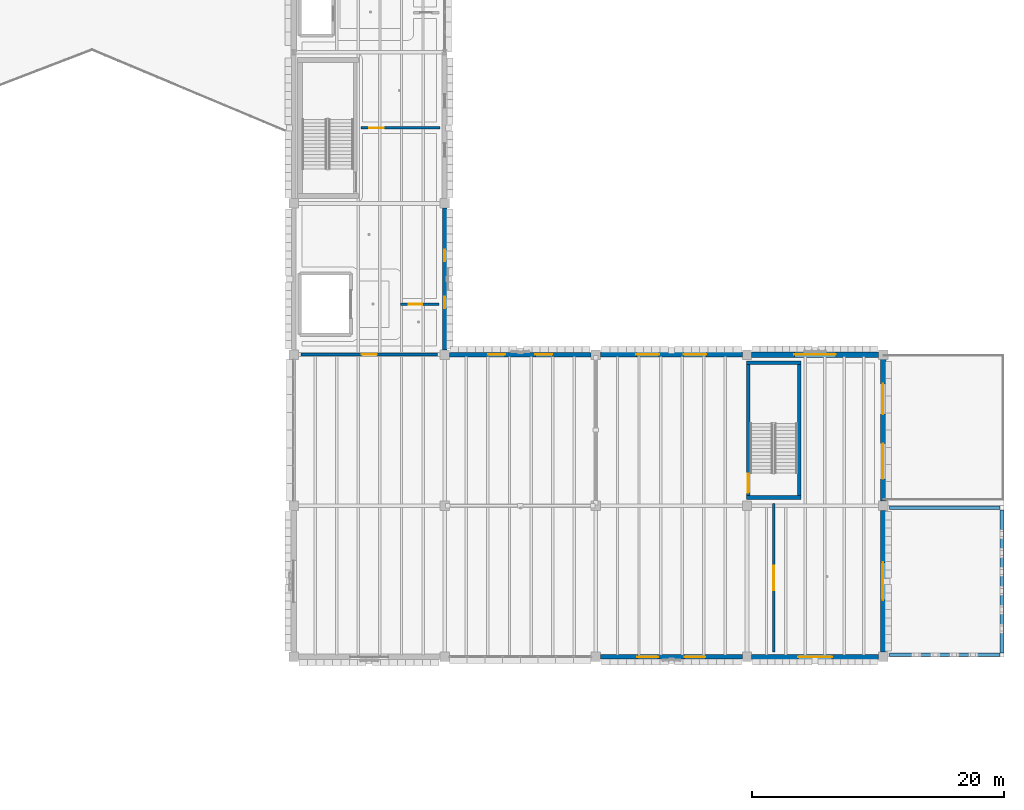
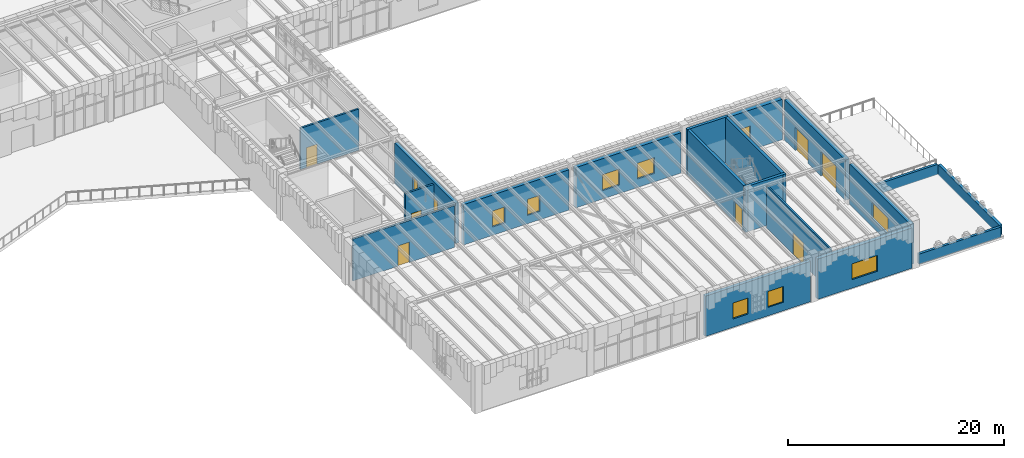
# One storey, part 56 of 103: 19 walls, 11 windows, 7 doors, 18 openings.
"""IFC4 building model written with IfcOpenShell, lengths in metres."""

from ifc_helpers import new_model, si_unit, direction, frame, frame_2d, origin, place, context, subcontext, project, spatial, rectangle, extrude, material, layer, layer_set, type_object, element, fill, save


model = new_model("IFC4")

# Units and contexts
model_context = context("Model", 3, precision=1e-05, world=origin(), true_north=direction((0.0, 1.0)))
body_context = subcontext(model_context, "Body", "Model", "MODEL_VIEW")
ifc_project = project(units=[si_unit("LENGTHUNIT", "METRE"), si_unit("AREAUNIT", "SQUARE_METRE"), si_unit("VOLUMEUNIT", "CUBIC_METRE"), si_unit("PLANEANGLEUNIT", "RADIAN"), si_unit("MASSUNIT", "GRAM", prefix="KILO")], contexts=[model_context])

# Site, building, storey
site_placement = place(None, origin())
site = spatial("IfcSite", under=ifc_project, at=site_placement, CompositionType="ELEMENT")
building_placement = place(site_placement, origin())
building = spatial("IfcBuilding", under=site, at=building_placement, Name="Zlatogorsky Bluff Art Gallery", CompositionType="ELEMENT")
storey_placement = place(building_placement, origin())
storey = spatial("IfcBuildingStorey", under=building, at=storey_placement, Name="L00", CompositionType="ELEMENT", Elevation=0.0)

# Wall, openings, windows
ifc_material_1 = material(Name="Precast concrete C40/50", Category="concrete")
ifc_layer_1 = layer(ifc_material_1, 0.360107421875)
ifc_layer_set_1 = layer_set([ifc_layer_1], Name="Exterior Wall EW-01 360mm")
wall_type_1 = type_object("IfcWallType", Name="Exterior Wall EW-01 360mm", PredefinedType="SOLIDWALL", material=ifc_layer_set_1)
wall_1_placement = place(storey_placement, frame((132.0, 50.77001953125, 0.0), z_axis=(0.0, 0.0, 1.0), x_axis=(0.0, 1.0, 0.0)))
wall_1 = element("IfcWall", 1, at=wall_1_placement, inside=storey, type_object=wall_type_1, Name="Exterior wall EW-01 L00 E 10.5", PredefinedType="SOLIDWALL", context=body_context, shape_type="SweptSolid", body=[
    extrude(rectangle(XDim=11.260009765625, YDim=0.360107421875, at=frame_2d((5.6298828125, 0.0))), origin(), (0.0, 0.0, 1.0), 4.56005859375),
])
opening_1_placement = place(wall_1_placement, frame((3.302978515625, 0.0, 0.949951171875)))
opening_1 = element("IfcOpeningElement", 2, at=opening_1_placement, cuts=wall_1, Name="Opening WN-13", PredefinedType="OPENING", context=body_context, shape_type="SweptSolid", body=[
    extrude(rectangle(XDim=0.89990234375, YDim=1.800048828125, at=frame_2d((0.449951171875, 0.89990234375))), frame((0.0, 0.18994140625, 0.0), z_axis=(0.0, -1.0, 0.0), x_axis=(1.0, 0.0, 0.0)), (0.0, 0.0, 1.0), 0.380126953125),
])
opening_2_placement = place(wall_1_placement, frame((7.056884765625, 0.0, 0.949951171875)))
opening_2 = element("IfcOpeningElement", 3, at=opening_2_placement, cuts=wall_1, Name="Opening WN-13", PredefinedType="OPENING", context=body_context, shape_type="SweptSolid", body=[
    extrude(rectangle(XDim=0.89990234375, YDim=1.800048828125, at=frame_2d((0.449951171875, 0.89990234375))), frame((0.0, 0.18994140625, 0.0), z_axis=(0.0, -1.0, 0.0), x_axis=(1.0, 0.0, 0.0)), (0.0, 0.0, 1.0), 0.380126953125),
])
ifc_material_2 = material(Name="Bronze-Anodised Aluminium Triple Glazing", Category="aluminium")
window_type_1 = type_object("IfcWindowType", Name="Pointed-Reveal Window WN-13 900x1800", PartitioningType="SINGLE_PANEL", PredefinedType="WINDOW", material=ifc_material_2)
window_1_placement = place(opening_1_placement, origin())
window_1 = element("IfcWindow", 4, at=window_1_placement, inside=storey, type_object=window_type_1, Name="Window WN-13 L00.E.10.5.1", OverallHeight=1.800048828125, OverallWidth=0.89990234375, PartitioningType="SINGLE_PANEL", PredefinedType="WINDOW", context=body_context, shape_type="SweptSolid", body=[
    extrude(rectangle(XDim=0.89990234375, YDim=1.800048828125, at=frame_2d((0.449951171875, 0.89990234375))), frame((0.0, 0.030029296875, 0.0), z_axis=(0.0, -1.0, 0.0), x_axis=(1.0, 0.0, 0.0)), (0.0, 0.0, 1.0), 0.06005859375),
])
fill(opening_1, window_1)
window_2_placement = place(opening_2_placement, origin())
window_2 = element("IfcWindow", 5, at=window_2_placement, inside=storey, type_object=window_type_1, Name="Window WN-13 L00.E.10.5.2", OverallHeight=1.800048828125, OverallWidth=0.89990234375, PartitioningType="SINGLE_PANEL", PredefinedType="WINDOW", context=body_context, shape_type="SweptSolid", body=[
    extrude(rectangle(XDim=0.89990234375, YDim=1.800048828125, at=frame_2d((0.449951171875, 0.89990234375))), frame((0.0, 0.030029296875, 0.0), z_axis=(0.0, -1.0, 0.0), x_axis=(1.0, 0.0, 0.0)), (0.0, 0.0, 1.0), 0.06005859375),
])
fill(opening_2, window_2)

wall_2_placement = place(storey_placement, frame((143.6298828125, 50.39990234375, 0.0), z_axis=(0.0, 0.0, 1.0), x_axis=(-1.0, 0.0, 0.0)))
wall_2 = element("IfcWall", 6, at=wall_2_placement, inside=storey, type_object=wall_type_1, Name="Exterior wall EW-01 L00 N 11.4", PredefinedType="SOLIDWALL", context=body_context, shape_type="SweptSolid", body=[
    extrude(rectangle(XDim=11.259765625, YDim=0.360107421875, at=frame_2d((5.6298828125, 0.0))), origin(), (0.0, 0.0, 1.0), 4.56005859375),
])
opening_3_placement = place(wall_2_placement, frame((3.077880859375, 0.0, 0.949951171875)))
opening_3 = element("IfcOpeningElement", 7, at=opening_3_placement, cuts=wall_2, Name="Opening WN-16", PredefinedType="OPENING", context=body_context, shape_type="SweptSolid", body=[
    extrude(rectangle(XDim=1.35009765625, YDim=1.800048828125, at=frame_2d((0.675048828125, 0.89990234375))), frame((0.0, 0.18994140625, 0.0), z_axis=(0.0, -1.0, 0.0), x_axis=(1.0, 0.0, 0.0)), (0.0, 0.0, 1.0), 0.380126953125),
])
opening_4_placement = place(wall_2_placement, frame((6.83203125, 0.0, 0.949951171875)))
opening_4 = element("IfcOpeningElement", 8, at=opening_4_placement, cuts=wall_2, Name="Opening WN-16", PredefinedType="OPENING", context=body_context, shape_type="SweptSolid", body=[
    extrude(rectangle(XDim=1.35009765625, YDim=1.800048828125, at=frame_2d((0.675048828125, 0.89990234375))), frame((0.0, 0.18994140625, 0.0), z_axis=(0.0, -1.0, 0.0), x_axis=(1.0, 0.0, 0.0)), (0.0, 0.0, 1.0), 0.380126953125),
])
window_type_2 = type_object("IfcWindowType", Name="Pointed-Reveal Window WN-16 1350x1800", PartitioningType="SINGLE_PANEL", PredefinedType="WINDOW", material=ifc_material_2)
window_3_placement = place(opening_3_placement, origin())
window_3 = element("IfcWindow", 9, at=window_3_placement, inside=storey, type_object=window_type_2, Name="Window WN-16 L00.N.11.4.1", OverallHeight=1.800048828125, OverallWidth=1.35009765625, PartitioningType="SINGLE_PANEL", PredefinedType="WINDOW", context=body_context, shape_type="SweptSolid", body=[
    extrude(rectangle(XDim=1.35009765625, YDim=1.800048828125, at=frame_2d((0.675048828125, 0.89990234375))), frame((0.0, 0.030029296875, 0.0), z_axis=(0.0, -1.0, 0.0), x_axis=(1.0, 0.0, 0.0)), (0.0, 0.0, 1.0), 0.06005859375),
])
fill(opening_3, window_3)
window_4_placement = place(opening_4_placement, origin())
window_4 = element("IfcWindow", 10, at=window_4_placement, inside=storey, type_object=window_type_2, Name="Window WN-16 L00.N.11.4.2", OverallHeight=1.800048828125, OverallWidth=1.35009765625, PartitioningType="SINGLE_PANEL", PredefinedType="WINDOW", context=body_context, shape_type="SweptSolid", body=[
    extrude(rectangle(XDim=1.35009765625, YDim=1.800048828125, at=frame_2d((0.675048828125, 0.89990234375))), frame((0.0, 0.030029296875, 0.0), z_axis=(0.0, -1.0, 0.0), x_axis=(1.0, 0.0, 0.0)), (0.0, 0.0, 1.0), 0.06005859375),
])
fill(opening_4, window_4)

wall_3_placement = place(storey_placement, frame((144.3701171875, 26.39990234375, 0.0), z_axis=(0.0, 0.0, 1.0), x_axis=(1.0, 0.0, 0.0)))
wall_3 = element("IfcWall", 11, at=wall_3_placement, inside=storey, type_object=wall_type_1, Name="Exterior wall EW-01 L00 S 12.3", PredefinedType="SOLIDWALL", context=body_context, shape_type="SweptSolid", body=[
    extrude(rectangle(XDim=11.259765625, YDim=0.360107421875, at=frame_2d((5.6298828125, 0.0))), origin(), (0.0, 0.0, 1.0), 4.56005859375),
])
opening_5_placement = place(wall_3_placement, frame((2.927978515625, 0.0, 0.949951171875)))
opening_5 = element("IfcOpeningElement", 12, at=opening_5_placement, cuts=wall_3, Name="Opening WN-18", PredefinedType="OPENING", context=body_context, shape_type="SweptSolid", body=[
    extrude(rectangle(XDim=1.64990234375, YDim=1.800048828125, at=frame_2d((0.824951171875, 0.89990234375))), frame((0.0, 0.18994140625, 0.0), z_axis=(0.0, -1.0, 0.0), x_axis=(1.0, 0.0, 0.0)), (0.0, 0.0, 1.0), 0.380126953125),
])
opening_6_placement = place(wall_3_placement, frame((6.681884765625, 0.0, 0.949951171875)))
opening_6 = element("IfcOpeningElement", 13, at=opening_6_placement, cuts=wall_3, Name="Opening WN-18", PredefinedType="OPENING", context=body_context, shape_type="SweptSolid", body=[
    extrude(rectangle(XDim=1.64990234375, YDim=1.800048828125, at=frame_2d((0.824951171875, 0.89990234375))), frame((0.0, 0.18994140625, 0.0), z_axis=(0.0, -1.0, 0.0), x_axis=(1.0, 0.0, 0.0)), (0.0, 0.0, 1.0), 0.380126953125),
])
window_type_3 = type_object("IfcWindowType", Name="Pointed-Reveal Window WN-18 1650x1800", PartitioningType="SINGLE_PANEL", PredefinedType="WINDOW", material=ifc_material_2)
window_5_placement = place(opening_5_placement, origin())
window_5 = element("IfcWindow", 14, at=window_5_placement, inside=storey, type_object=window_type_3, Name="Window WN-18 L00.S.12.3.1", OverallHeight=1.800048828125, OverallWidth=1.64990234375, PartitioningType="SINGLE_PANEL", PredefinedType="WINDOW", context=body_context, shape_type="SweptSolid", body=[
    extrude(rectangle(XDim=1.64990234375, YDim=1.800048828125, at=frame_2d((0.824951171875, 0.89990234375))), frame((0.0, 0.030029296875, 0.0), z_axis=(0.0, -1.0, 0.0), x_axis=(1.0, 0.0, 0.0)), (0.0, 0.0, 1.0), 0.06005859375),
])
fill(opening_5, window_5)
window_6_placement = place(opening_6_placement, origin())
window_6 = element("IfcWindow", 15, at=window_6_placement, inside=storey, type_object=window_type_3, Name="Window WN-18 L00.S.12.3.2", OverallHeight=1.800048828125, OverallWidth=1.64990234375, PartitioningType="SINGLE_PANEL", PredefinedType="WINDOW", context=body_context, shape_type="SweptSolid", body=[
    extrude(rectangle(XDim=1.64990234375, YDim=1.800048828125, at=frame_2d((0.824951171875, 0.89990234375))), frame((0.0, 0.030029296875, 0.0), z_axis=(0.0, -1.0, 0.0), x_axis=(1.0, 0.0, 0.0)), (0.0, 0.0, 1.0), 0.06005859375),
])
fill(opening_6, window_6)

ifc_layer_2 = layer(ifc_material_1, 0.39990234375)
ifc_layer_set_2 = layer_set([ifc_layer_2], Name="Exterior Wall EW-02 400mm")
wall_type_2 = type_object("IfcWallType", Name="Exterior Wall EW-02 400mm", PredefinedType="SOLIDWALL", material=ifc_layer_set_2)
wall_4_placement = place(storey_placement, frame((155.6298828125, 50.39990234375, 0.0), z_axis=(0.0, 0.0, 1.0), x_axis=(-1.0, 0.0, 0.0)))
wall_4 = element("IfcWall", 16, at=wall_4_placement, inside=storey, type_object=wall_type_2, Name="Exterior wall EW-02 L00 N 12.4", PredefinedType="SOLIDWALL", context=body_context, shape_type="SweptSolid", body=[
    extrude(rectangle(XDim=11.259765625, YDim=0.39990234375, at=frame_2d((5.6298828125, 0.0))), origin(), (0.0, 0.0, 1.0), 4.56005859375),
])
opening_7_placement = place(wall_4_placement, frame((2.85302734375, 0.0, 0.949951171875)))
opening_7 = element("IfcOpeningElement", 17, at=opening_7_placement, cuts=wall_4, Name="Opening WN-19", PredefinedType="OPENING", context=body_context, shape_type="SweptSolid", body=[
    extrude(rectangle(XDim=1.800048828125, YDim=1.800048828125, at=frame_2d((0.89990234375, 0.89990234375))), frame((0.0, 0.2099609375, 0.0), z_axis=(0.0, -1.0, 0.0), x_axis=(1.0, 0.0, 0.0)), (0.0, 0.0, 1.0), 0.419921875),
])
opening_8_placement = place(wall_4_placement, frame((6.60693359375, 0.0, 0.949951171875)))
opening_8 = element("IfcOpeningElement", 18, at=opening_8_placement, cuts=wall_4, Name="Opening WN-19", PredefinedType="OPENING", context=body_context, shape_type="SweptSolid", body=[
    extrude(rectangle(XDim=1.800048828125, YDim=1.800048828125, at=frame_2d((0.89990234375, 0.89990234375))), frame((0.0, 0.2099609375, 0.0), z_axis=(0.0, -1.0, 0.0), x_axis=(1.0, 0.0, 0.0)), (0.0, 0.0, 1.0), 0.419921875),
])
window_type_4 = type_object("IfcWindowType", Name="Pointed-Reveal Window WN-19 1800x1800", PartitioningType="SINGLE_PANEL", PredefinedType="WINDOW", material=ifc_material_2)
window_7_placement = place(opening_7_placement, origin())
window_7 = element("IfcWindow", 19, at=window_7_placement, inside=storey, type_object=window_type_4, Name="Window WN-19 L00.N.12.4.1", OverallHeight=1.800048828125, OverallWidth=1.800048828125, PartitioningType="SINGLE_PANEL", PredefinedType="WINDOW", context=body_context, shape_type="SweptSolid", body=[
    extrude(rectangle(XDim=1.800048828125, YDim=1.800048828125, at=frame_2d((0.89990234375, 0.89990234375))), frame((0.0, 0.030029296875, 0.0), z_axis=(0.0, -1.0, 0.0), x_axis=(1.0, 0.0, 0.0)), (0.0, 0.0, 1.0), 0.06005859375),
])
fill(opening_7, window_7)
window_8_placement = place(opening_8_placement, origin())
window_8 = element("IfcWindow", 20, at=window_8_placement, inside=storey, type_object=window_type_4, Name="Window WN-19 L00.N.12.4.2", OverallHeight=1.800048828125, OverallWidth=1.800048828125, PartitioningType="SINGLE_PANEL", PredefinedType="WINDOW", context=body_context, shape_type="SweptSolid", body=[
    extrude(rectangle(XDim=1.800048828125, YDim=1.800048828125, at=frame_2d((0.89990234375, 0.89990234375))), frame((0.0, 0.030029296875, 0.0), z_axis=(0.0, -1.0, 0.0), x_axis=(1.0, 0.0, 0.0)), (0.0, 0.0, 1.0), 0.06005859375),
])
fill(opening_8, window_8)

# Wall, opening, window
wall_5_placement = place(storey_placement, frame((156.3701171875, 26.39990234375, 0.0), z_axis=(0.0, 0.0, 1.0), x_axis=(1.0, 0.0, 0.0)))
wall_5 = element("IfcWall", 21, at=wall_5_placement, inside=storey, type_object=wall_type_2, Name="Exterior wall EW-02 L00 S 13.3", PredefinedType="SOLIDWALL", context=body_context, shape_type="SweptSolid", body=[
    extrude(rectangle(XDim=10.059814453125, YDim=0.39990234375, at=frame_2d((5.02978515625, 0.0))), origin(), (0.0, 0.0, 1.0), 4.56005859375),
])
opening_9_placement = place(wall_5_placement, frame((3.679931640625, 0.0, 0.949951171875)))
opening_9 = element("IfcOpeningElement", 22, at=opening_9_placement, cuts=wall_5, Name="Opening WN-22", PredefinedType="OPENING", context=body_context, shape_type="SweptSolid", body=[
    extrude(rectangle(XDim=2.699951171875, YDim=1.800048828125, at=frame_2d((1.35009765625, 0.89990234375))), frame((0.0, 0.2099609375, 0.0), z_axis=(0.0, -1.0, 0.0), x_axis=(1.0, 0.0, 0.0)), (0.0, 0.0, 1.0), 0.419921875),
])
window_type_5 = type_object("IfcWindowType", Name="Pointed-Reveal Window WN-22 2700x1800", PartitioningType="SINGLE_PANEL", PredefinedType="WINDOW", material=ifc_material_2)
window_9_placement = place(opening_9_placement, origin())
window_9 = element("IfcWindow", 23, at=window_9_placement, inside=storey, type_object=window_type_5, Name="Window WN-22 L00.S.13.3.1", OverallHeight=1.800048828125, OverallWidth=2.699951171875, PartitioningType="SINGLE_PANEL", PredefinedType="WINDOW", context=body_context, shape_type="SweptSolid", body=[
    extrude(rectangle(XDim=2.699951171875, YDim=1.800048828125, at=frame_2d((1.35009765625, 0.89990234375))), frame((0.0, 0.030029296875, 0.0), z_axis=(0.0, -1.0, 0.0), x_axis=(1.0, 0.0, 0.0)), (0.0, 0.0, 1.0), 0.06005859375),
])
fill(opening_9, window_9)

wall_6_placement = place(storey_placement, frame((166.800048828125, 26.77001953125, 0.0), z_axis=(0.0, 0.0, 1.0), x_axis=(0.0, 1.0, 0.0)))
wall_6 = element("IfcWall", 24, at=wall_6_placement, inside=storey, type_object=wall_type_2, Name="Exterior wall EW-02 L00 E 13.3", PredefinedType="SOLIDWALL", context=body_context, shape_type="SweptSolid", body=[
    extrude(rectangle(XDim=11.260009765625, YDim=0.39990234375, at=frame_2d((5.6298828125, 0.0))), origin(), (0.0, 0.0, 1.0), 4.56005859375),
])
opening_10_placement = place(wall_6_placement, frame((4.1298828125, 0.0, 0.949951171875)))
opening_10 = element("IfcOpeningElement", 25, at=opening_10_placement, cuts=wall_6, Name="Opening WN-23", PredefinedType="OPENING", context=body_context, shape_type="SweptSolid", body=[
    extrude(rectangle(XDim=3.0, YDim=1.800048828125, at=frame_2d((1.5, 0.89990234375))), frame((0.0, 0.2099609375, 0.0), z_axis=(0.0, -1.0, 0.0), x_axis=(1.0, 0.0, 0.0)), (0.0, 0.0, 1.0), 0.419921875),
])
window_type_6 = type_object("IfcWindowType", Name="Pointed-Reveal Window WN-23 3000x1800", PartitioningType="SINGLE_PANEL", PredefinedType="WINDOW", material=ifc_material_2)
window_10_placement = place(opening_10_placement, origin())
window_10 = element("IfcWindow", 26, at=window_10_placement, inside=storey, type_object=window_type_6, Name="Window WN-23 L00.E.13.3.1", OverallHeight=1.800048828125, OverallWidth=3.0, PartitioningType="SINGLE_PANEL", PredefinedType="WINDOW", context=body_context, shape_type="SweptSolid", body=[
    extrude(rectangle(XDim=3.0, YDim=1.800048828125, at=frame_2d((1.5, 0.89990234375))), frame((0.0, 0.030029296875, 0.0), z_axis=(0.0, -1.0, 0.0), x_axis=(1.0, 0.0, 0.0)), (0.0, 0.0, 1.0), 0.06005859375),
])
fill(opening_10, window_10)

ifc_layer_3 = layer(ifc_material_1, 0.43994140625)
ifc_layer_set_3 = layer_set([ifc_layer_3], Name="Exterior Wall EW-03 440mm")
wall_type_3 = type_object("IfcWallType", Name="Exterior Wall EW-03 440mm", PredefinedType="SOLIDWALL", material=ifc_layer_set_3)
wall_7_placement = place(storey_placement, frame((166.429931640625, 50.39990234375, 0.0), z_axis=(0.0, 0.0, 1.0), x_axis=(-1.0, 0.0, 0.0)))
wall_7 = element("IfcWall", 27, at=wall_7_placement, inside=storey, type_object=wall_type_3, Name="Exterior wall EW-03 L00 N 13.4", PredefinedType="SOLIDWALL", context=body_context, shape_type="SweptSolid", body=[
    extrude(rectangle(XDim=10.059814453125, YDim=0.43994140625, at=frame_2d((5.02978515625, 0.0))), origin(), (0.0, 0.0, 1.0), 4.56005859375),
])
opening_11_placement = place(wall_7_placement, frame((3.3798828125, 0.0, 0.949951171875)))
opening_11 = element("IfcOpeningElement", 28, at=opening_11_placement, cuts=wall_7, Name="Opening WN-24", PredefinedType="OPENING", context=body_context, shape_type="SweptSolid", body=[
    extrude(rectangle(XDim=3.300048828125, YDim=1.800048828125, at=frame_2d((1.64990234375, 0.89990234375))), frame((0.0, 0.22998046875, 0.0), z_axis=(0.0, -1.0, 0.0), x_axis=(1.0, 0.0, 0.0)), (0.0, 0.0, 1.0), 0.4599609375),
])
window_type_7 = type_object("IfcWindowType", Name="Pointed-Reveal Window WN-24 3300x1800", PartitioningType="SINGLE_PANEL", PredefinedType="WINDOW", material=ifc_material_2)
window_11_placement = place(opening_11_placement, origin())
window_11 = element("IfcWindow", 29, at=window_11_placement, inside=storey, type_object=window_type_7, Name="Window WN-24 L00.N.13.4.1", OverallHeight=1.800048828125, OverallWidth=3.300048828125, PartitioningType="SINGLE_PANEL", PredefinedType="WINDOW", context=body_context, shape_type="SweptSolid", body=[
    extrude(rectangle(XDim=3.300048828125, YDim=1.800048828125, at=frame_2d((1.64990234375, 0.89990234375))), frame((0.0, 0.030029296875, 0.0), z_axis=(0.0, -1.0, 0.0), x_axis=(1.0, 0.0, 0.0)), (0.0, 0.0, 1.0), 0.06005859375),
])
fill(opening_11, window_11)

# Wall, openings, doors
wall_8_placement = place(storey_placement, frame((166.800048828125, 38.77001953125, 0.0), z_axis=(0.0, 0.0, 1.0), x_axis=(0.0, 1.0, 0.0)))
wall_8 = element("IfcWall", 30, at=wall_8_placement, inside=storey, type_object=wall_type_3, Name="Exterior wall EW-03 L00 E 13.4", PredefinedType="SOLIDWALL", context=body_context, shape_type="SweptSolid", body=[
    extrude(rectangle(XDim=11.260009765625, YDim=0.43994140625, at=frame_2d((5.6298828125, 0.0))), origin(), (0.0, 0.0, 1.0), 4.56005859375),
])
opening_12_placement = place(wall_8_placement, frame((1.7529296875, 0.0, 0.0)))
opening_12 = element("IfcOpeningElement", 31, at=opening_12_placement, cuts=wall_8, Name="Opening ED-T3", PredefinedType="OPENING", context=body_context, shape_type="SweptSolid", body=[
    extrude(rectangle(XDim=2.800048828125, YDim=2.800048828125, at=frame_2d((1.39990234375, 1.39990234375))), frame((0.0, 0.22998046875, 0.0), z_axis=(0.0, -1.0, 0.0), x_axis=(1.0, 0.0, 0.0)), (0.0, 0.0, 1.0), 0.4599609375),
])
opening_13_placement = place(wall_8_placement, frame((6.906982421875, 0.0, 0.0)))
opening_13 = element("IfcOpeningElement", 32, at=opening_13_placement, cuts=wall_8, Name="Opening ED-T2", PredefinedType="OPENING", context=body_context, shape_type="SweptSolid", body=[
    extrude(rectangle(XDim=2.39990234375, YDim=2.60009765625, at=frame_2d((1.199951171875, 1.300048828125))), frame((0.0, 0.22998046875, 0.0), z_axis=(0.0, -1.0, 0.0), x_axis=(1.0, 0.0, 0.0)), (0.0, 0.0, 1.0), 0.4599609375),
])
ifc_material_3 = material(Name="Bronze-Clad Thermally Broken Steel and Laminated Glass", Category="steel")
door_type_1 = type_object("IfcDoorType", Name="Exterior Door ED-T2 2400x2600", OperationType="DOUBLE_DOOR_SINGLE_SWING", PredefinedType="DOOR", material=ifc_material_3)
door_1_placement = place(opening_13_placement, frame((2.39990234375, 0.0, 0.0), z_axis=(0.0, 0.0, 1.0), x_axis=(-1.0, 0.0, 0.0)))
door_1 = element("IfcDoor", 33, at=door_1_placement, inside=storey, type_object=door_type_1, Name="Ground exit portal double door ED-T2 E.13.4.2", OperationType="DOUBLE_DOOR_SINGLE_SWING", OverallHeight=2.60009765625, OverallWidth=2.39990234375, PredefinedType="DOOR", context=body_context, shape_type="SweptSolid", body=[
    extrude(rectangle(XDim=2.39990234375, YDim=2.60009765625, at=frame_2d((1.199951171875, 1.300048828125))), frame((0.0, 0.02490234375, 0.0), z_axis=(0.0, -1.0, 0.0), x_axis=(1.0, 0.0, 0.0)), (0.0, 0.0, 1.0), 0.050048828125),
])
fill(opening_13, door_1)
door_type_2 = type_object("IfcDoorType", Name="Exterior Door ED-T3 2800x2800", OperationType="DOUBLE_DOOR_SINGLE_SWING", PredefinedType="DOOR", material=ifc_material_3)
door_2_placement = place(opening_12_placement, frame((2.800048828125, 0.0, 0.0), z_axis=(0.0, 0.0, 1.0), x_axis=(-1.0, 0.0, 0.0)))
door_2 = element("IfcDoor", 34, at=door_2_placement, inside=storey, type_object=door_type_2, Name="Ground exit portal double door ED-T3 E.13.4.1", OperationType="DOUBLE_DOOR_SINGLE_SWING", OverallHeight=2.800048828125, OverallWidth=2.800048828125, PredefinedType="DOOR", context=body_context, shape_type="SweptSolid", body=[
    extrude(rectangle(XDim=2.800048828125, YDim=2.800048828125, at=frame_2d((1.39990234375, 1.39990234375))), frame((0.0, 0.02490234375, 0.0), z_axis=(0.0, -1.0, 0.0), x_axis=(1.0, 0.0, 0.0)), (0.0, 0.0, 1.0), 0.050048828125),
])
fill(opening_12, door_2)

# Walls
ifc_layer_4 = layer(ifc_material_1, 0.260009765625)
ifc_layer_set_4 = layer_set([ifc_layer_4], Name="Exterior Wall PR-W1 260mm")
wall_type_4 = type_object("IfcWallType", Name="Exterior Wall PR-W1 260mm", PredefinedType="PARAPET", material=ifc_layer_set_4)
for number, where, z_axis, x_axis, name in (
    (35, (176.080078125, 26.56005859375, 0.0), (0.0, 0.0, 1.0), (-1.0, 0.0, 0.0), "Sandstone roof parapet ROOF-FLAT-L00-01.1"),
    (36, (167.320068359375, 38.239990234375, 0.0), (0.0, 0.0, 1.0), (1.0, 0.0, 0.0), "Sandstone roof parapet ROOF-FLAT-L00-01.3"),
):
    element("IfcWall", number, at=place(storey_placement, frame(where, z_axis=z_axis, x_axis=x_axis)), inside=storey, type_object=wall_type_4, Name=name, PredefinedType="PARAPET", context=body_context, shape_type="SweptSolid", body=[
        extrude(rectangle(XDim=8.760009765625, YDim=0.260009765625, at=frame_2d((4.3798828125, 0.0))), origin(), (0.0, 0.0, 1.0), 1.14990234375),
    ])
ifc_layer_5 = layer(ifc_material_1, 0.300048828125)
ifc_layer_set_5 = layer_set([ifc_layer_5], Name="Exterior Wall PR-W2 300mm")
wall_type_5 = type_object("IfcWallType", Name="Exterior Wall PR-W2 300mm", PredefinedType="PARAPET", material=ifc_layer_set_5)
wall_9_placement = place(storey_placement, frame((176.239990234375, 38.080078125, 0.0), z_axis=(0.0, 0.0, 1.0), x_axis=(0.0, -1.0, 0.0)))
element("IfcWall", 37, at=wall_9_placement, inside=storey, type_object=wall_type_5, Name="Sandstone roof parapet ROOF-FLAT-L00-01.4", PredefinedType="PARAPET", context=body_context, shape_type="SweptSolid", body=[
    extrude(rectangle(XDim=11.360107421875, YDim=0.300048828125, at=frame_2d((5.68017578125, 0.0))), origin(), (0.0, 0.0, 1.0), 1.14990234375),
])

# Wall, opening, door
ifc_material_4 = material(Name="Concrete C30/37", Category="concrete")
ifc_layer_6 = layer(ifc_material_4, 0.179931640625)
ifc_layer_set_6 = layer_set([ifc_layer_6], Name="Interior Wall IW-02 180mm")
wall_type_6 = type_object("IfcWallType", Name="Interior Wall IW-02 180mm", PredefinedType="PARTITIONING", material=ifc_layer_set_6)
wall_10_placement = place(storey_placement, frame((158.125, 26.780029296875, 0.0), z_axis=(0.0, 0.0, 1.0), x_axis=(0.0, 1.0, 0.0)))
wall_10 = element("IfcWall", 38, at=wall_10_placement, inside=storey, type_object=wall_type_6, Name="Partition IW-02 between L00-L1-11 and L00-L1-12", PredefinedType="PARTITIONING", context=body_context, shape_type="SweptSolid", body=[
    extrude(rectangle(XDim=11.800048828125, YDim=0.179931640625, at=frame_2d((5.89990234375, 0.0))), origin(), (0.0, 0.0, 1.0), 4.77001953125),
])
opening_14_placement = place(wall_10_placement, frame((4.925048828125, 0.0, 0.0)))
opening_14 = element("IfcOpeningElement", 39, at=opening_14_placement, cuts=wall_10, Name="Opening ID-12", PredefinedType="OPENING", context=body_context, shape_type="SweptSolid", body=[
    extrude(rectangle(XDim=1.949951171875, YDim=2.449951171875, at=frame_2d((0.97509765625, 1.22509765625))), frame((0.0, 0.099853515625, 0.0), z_axis=(0.0, -1.0, 0.0), x_axis=(1.0, 0.0, 0.0)), (0.0, 0.0, 1.0), 0.199951171875),
])
ifc_material_5 = material(Name="Anodised Aluminium and Laminated Timber", Category="wood")
door_type_3 = type_object("IfcDoorType", Name="Interior Door ID-12 1950x2450", OperationType="DOUBLE_DOOR_SINGLE_SWING", PredefinedType="DOOR", material=ifc_material_5)
door_3_placement = place(opening_14_placement, origin())
door_3 = element("IfcDoor", 40, at=door_3_placement, inside=storey, type_object=door_type_3, Name="Door ID-12 L00-L1-11-L00-L1-12", OperationType="DOUBLE_DOOR_SINGLE_SWING", OverallHeight=2.449951171875, OverallWidth=1.949951171875, PredefinedType="DOOR", context=body_context, shape_type="SweptSolid", body=[
    extrude(rectangle(XDim=1.949951171875, YDim=2.449951171875, at=frame_2d((0.97509765625, 1.22509765625))), frame((0.0, 0.02490234375, 0.0), z_axis=(0.0, -1.0, 0.0), x_axis=(1.0, 0.0, 0.0)), (0.0, 0.0, 1.0), 0.050048828125),
])
fill(opening_14, door_3)

ifc_layer_7 = layer(ifc_material_4, 0.199951171875)
ifc_layer_set_7 = layer_set([ifc_layer_7], Name="Interior Wall IW-03 200mm")
wall_type_7 = type_object("IfcWallType", Name="Interior Wall IW-03 200mm", PredefinedType="PARTITIONING", material=ifc_layer_set_7)
wall_11_placement = place(storey_placement, frame((125.3701171875, 68.39990234375, 0.0), z_axis=(0.0, 0.0, 1.0), x_axis=(1.0, 0.0, 0.0)))
wall_11 = element("IfcWall", 41, at=wall_11_placement, inside=storey, type_object=wall_type_7, Name="Partition IW-03 between L00-C2-12 and L00-C2-13", PredefinedType="PARTITIONING", context=body_context, shape_type="SweptSolid", body=[
    extrude(rectangle(XDim=6.259765625, YDim=0.199951171875, at=frame_2d((3.1298828125, 0.0))), origin(), (0.0, 0.0, 1.0), 4.669921875),
])
opening_15_placement = place(wall_11_placement, frame((0.64990234375, 0.0, 0.0)))
opening_15 = element("IfcOpeningElement", 42, at=opening_15_placement, cuts=wall_11, Name="Opening ID-06", PredefinedType="OPENING", context=body_context, shape_type="SweptSolid", body=[
    extrude(rectangle(XDim=1.14990234375, YDim=2.25, at=frame_2d((0.574951171875, 1.125))), frame((0.0, 0.10986328125, 0.0), z_axis=(0.0, -1.0, 0.0), x_axis=(1.0, 0.0, 0.0)), (0.0, 0.0, 1.0), 0.219970703125),
])
door_type_4 = type_object("IfcDoorType", Name="Interior Door ID-06 1150x2250", OperationType="SINGLE_SWING_LEFT", PredefinedType="DOOR", material=ifc_material_5)
door_4_placement = place(opening_15_placement, origin())
door_4 = element("IfcDoor", 43, at=door_4_placement, inside=storey, type_object=door_type_4, Name="Door ID-06 L00-C2-12-L00-C2-13", OperationType="SINGLE_SWING_RIGHT", OverallHeight=2.25, OverallWidth=1.14990234375, PredefinedType="DOOR", context=body_context, shape_type="SweptSolid", body=[
    extrude(rectangle(XDim=1.14990234375, YDim=2.25, at=frame_2d((0.574951171875, 1.125))), frame((0.0, 0.02490234375, 0.0), z_axis=(0.0, -1.0, 0.0), x_axis=(1.0, 0.0, 0.0)), (0.0, 0.0, 1.0), 0.050048828125),
])
fill(opening_15, door_4)

ifc_layer_8 = layer(ifc_material_4, 0.219970703125)
ifc_layer_set_8 = layer_set([ifc_layer_8], Name="Interior Wall IW-04 220mm")
wall_type_8 = type_object("IfcWallType", Name="Interior Wall IW-04 220mm", PredefinedType="PARTITIONING", material=ifc_layer_set_8)
wall_12_placement = place(storey_placement, frame((128.510009765625, 54.39990234375, 0.0), z_axis=(0.0, 0.0, 1.0), x_axis=(1.0, 0.0, 0.0)))
wall_12 = element("IfcWall", 44, at=wall_12_placement, inside=storey, type_object=wall_type_8, Name="Partition IW-04 between L00-C2-11 and L00-C2-12", PredefinedType="PARTITIONING", context=body_context, shape_type="SweptSolid", body=[
    extrude(rectangle(XDim=3.0400390625, YDim=0.219970703125, at=frame_2d((1.52001953125, 0.0))), origin(), (0.0, 0.0, 1.0), 4.669921875),
])
opening_16_placement = place(wall_12_placement, frame((0.64990234375, 0.0, 0.0)))
opening_16 = element("IfcOpeningElement", 45, at=opening_16_placement, cuts=wall_12, Name="Opening ID-04", PredefinedType="OPENING", context=body_context, shape_type="SweptSolid", body=[
    extrude(rectangle(XDim=1.050048828125, YDim=2.199951171875, at=frame_2d((0.52490234375, 1.10009765625))), frame((0.0, 0.119873046875, 0.0), z_axis=(0.0, -1.0, 0.0), x_axis=(1.0, 0.0, 0.0)), (0.0, 0.0, 1.0), 0.239990234375),
])
door_type_5 = type_object("IfcDoorType", Name="Interior Door ID-04 1050x2200", OperationType="SINGLE_SWING_LEFT", PredefinedType="DOOR", material=ifc_material_5)
door_5_placement = place(opening_16_placement, origin())
door_5 = element("IfcDoor", 46, at=door_5_placement, inside=storey, type_object=door_type_5, Name="Door ID-04 L00-C2-11-L00-C2-12", OperationType="SINGLE_SWING_RIGHT", OverallHeight=2.199951171875, OverallWidth=1.050048828125, PredefinedType="DOOR", context=body_context, shape_type="SweptSolid", body=[
    extrude(rectangle(XDim=1.050048828125, YDim=2.199951171875, at=frame_2d((0.52490234375, 1.10009765625))), frame((0.0, 0.02490234375, 0.0), z_axis=(0.0, -1.0, 0.0), x_axis=(1.0, 0.0, 0.0)), (0.0, 0.0, 1.0), 0.050048828125),
])
fill(opening_16, door_5)

wall_13_placement = place(storey_placement, frame((120.594482421875, 50.39990234375, 0.0), z_axis=(0.0, 0.0, 1.0), x_axis=(1.0, 0.0, 0.0)))
wall_13 = element("IfcWall", 47, at=wall_13_placement, inside=storey, type_object=wall_type_8, Name="Partition IW-04 between L00-C2-11 and L00-L1-11", PredefinedType="PARTITIONING", context=body_context, shape_type="SweptSolid", body=[
    extrude(rectangle(XDim=10.84814453125, YDim=0.219970703125, at=frame_2d((5.424072265625, 0.0))), origin(), (0.0, 0.0, 1.0), 4.72998046875),
])
opening_17_placement = place(wall_13_placement, frame((4.823974609375, 0.0, 0.0)))
opening_17 = element("IfcOpeningElement", 48, at=opening_17_placement, cuts=wall_13, Name="Opening ID-07", PredefinedType="OPENING", context=body_context, shape_type="SweptSolid", body=[
    extrude(rectangle(XDim=1.199951171875, YDim=2.300048828125, at=frame_2d((0.60009765625, 1.14990234375))), frame((0.0, 0.119873046875, 0.0), z_axis=(0.0, -1.0, 0.0), x_axis=(1.0, 0.0, 0.0)), (0.0, 0.0, 1.0), 0.239990234375),
])
door_type_6 = type_object("IfcDoorType", Name="Interior Door ID-07 1200x2300", OperationType="SINGLE_SWING_LEFT", PredefinedType="DOOR", material=ifc_material_5)
door_6_placement = place(opening_17_placement, origin())
door_6 = element("IfcDoor", 49, at=door_6_placement, inside=storey, type_object=door_type_6, Name="Door ID-07 L00-C2-11-L00-L1-11", OperationType="SINGLE_SWING_LEFT", OverallHeight=2.300048828125, OverallWidth=1.199951171875, PredefinedType="DOOR", context=body_context, shape_type="SweptSolid", body=[
    extrude(rectangle(XDim=1.199951171875, YDim=2.300048828125, at=frame_2d((0.60009765625, 1.14990234375))), frame((0.0, 0.02490234375, 0.0), z_axis=(0.0, -1.0, 0.0), x_axis=(1.0, 0.0, 0.0)), (0.0, 0.0, 1.0), 0.050048828125),
])
fill(opening_17, door_6)

# Walls
ifc_material_6 = material(Name="Concrete C35/45", Category="concrete")
ifc_layer_9 = layer(ifc_material_6, 0.300048828125)
ifc_layer_set_9 = layer_set([ifc_layer_9], Name="Interior Wall SW-01 300mm")
wall_type_9 = type_object("IfcWallType", Name="Interior Wall SW-01 300mm", PredefinedType="SHEAR", material=ifc_layer_set_9)
wall_14_placement = place(storey_placement, frame((160.14990234375, 38.89990234375, 0.0), z_axis=(0.0, 0.0, 1.0), x_axis=(0.0, 1.0, 0.0)))
element("IfcWall", 50, at=wall_14_placement, inside=storey, type_object=wall_type_9, Name="Stair ST-10 enclosure wall L00 W0", PredefinedType="SHEAR", context=body_context, shape_type="SweptSolid", body=[
    extrude(rectangle(XDim=11.0, YDim=0.300048828125, at=frame_2d((5.5, 0.0))), origin(), (0.0, 0.0, 1.0), 5.139892578125),
])
wall_15_placement = place(storey_placement, frame((160.300048828125, 49.75, 0.0), z_axis=(0.0, 0.0, 1.0), x_axis=(-1.0, 0.0, 0.0)))
element("IfcWall", 51, at=wall_15_placement, inside=storey, type_object=wall_type_9, Name="Stair ST-10 enclosure wall L00 FEND", PredefinedType="SHEAR", context=body_context, shape_type="SweptSolid", body=[
    extrude(rectangle(XDim=4.35009765625, YDim=0.300048828125, at=frame_2d((2.175048828125, 0.0))), origin(), (0.0, 0.0, 1.0), 5.139892578125),
])

# Wall, opening, door
wall_16_placement = place(storey_placement, frame((156.10009765625, 49.89990234375, 0.0), z_axis=(0.0, 0.0, 1.0), x_axis=(0.0, -1.0, 0.0)))
wall_16 = element("IfcWall", 52, at=wall_16_placement, inside=storey, type_object=wall_type_9, Name="Stair ST-10 enclosure wall L00 W1", PredefinedType="SHEAR", context=body_context, shape_type="SweptSolid", body=[
    extrude(rectangle(XDim=11.0, YDim=0.300048828125, at=frame_2d((5.5, 0.0))), origin(), (0.0, 0.0, 1.0), 5.139892578125),
])
opening_18_placement = place(wall_16_placement, frame((8.969970703125, 0.0, 0.0)))
opening_18 = element("IfcOpeningElement", 53, at=opening_18_placement, cuts=wall_16, Name="Opening FD-03", PredefinedType="OPENING", context=body_context, shape_type="SweptSolid", body=[
    extrude(rectangle(XDim=1.47998046875, YDim=2.300048828125, at=frame_2d((0.739990234375, 1.14990234375))), frame((0.0, 0.159912109375, 0.0), z_axis=(0.0, -1.0, 0.0), x_axis=(1.0, 0.0, 0.0)), (0.0, 0.0, 1.0), 0.320068359375),
])
door_type_7 = type_object("IfcDoorType", Name="Interior Door FD-03 1480x2300", OperationType="DOUBLE_DOOR_SINGLE_SWING", PredefinedType="DOOR", material=ifc_material_5)
door_7_placement = place(opening_18_placement, frame((1.47998046875, 0.0, 0.0), z_axis=(0.0, 0.0, 1.0), x_axis=(-1.0, 0.0, 0.0)))
door_7 = element("IfcDoor", 54, at=door_7_placement, inside=storey, type_object=door_type_7, Name="Stair ST-10 fire door L00", OperationType="DOUBLE_DOOR_SINGLE_SWING", OverallHeight=2.300048828125, OverallWidth=1.47998046875, PredefinedType="DOOR", context=body_context, shape_type="SweptSolid", body=[
    extrude(rectangle(XDim=1.47998046875, YDim=2.300048828125, at=frame_2d((0.739990234375, 1.14990234375))), frame((0.0, 0.02490234375, 0.0), z_axis=(0.0, -1.0, 0.0), x_axis=(1.0, 0.0, 0.0)), (0.0, 0.0, 1.0), 0.050048828125),
])
fill(opening_18, door_7)

# Wall
wall_17_placement = place(storey_placement, frame((155.949951171875, 39.050048828125, 0.0), z_axis=(0.0, 0.0, 1.0), x_axis=(1.0, 0.0, 0.0)))
element("IfcWall", 55, at=wall_17_placement, inside=storey, type_object=wall_type_9, Name="Stair ST-10 enclosure wall L00 LEND", PredefinedType="SHEAR", context=body_context, shape_type="SweptSolid", body=[
    extrude(rectangle(XDim=4.35009765625, YDim=0.300048828125, at=frame_2d((2.175048828125, 0.0))), origin(), (0.0, 0.0, 1.0), 5.139892578125),
])

save(model, "model.ifc")
